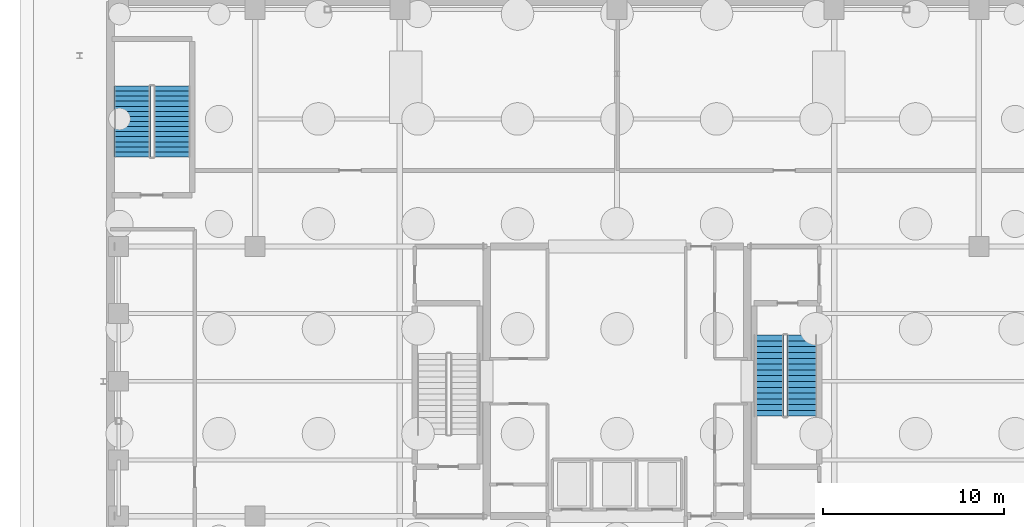
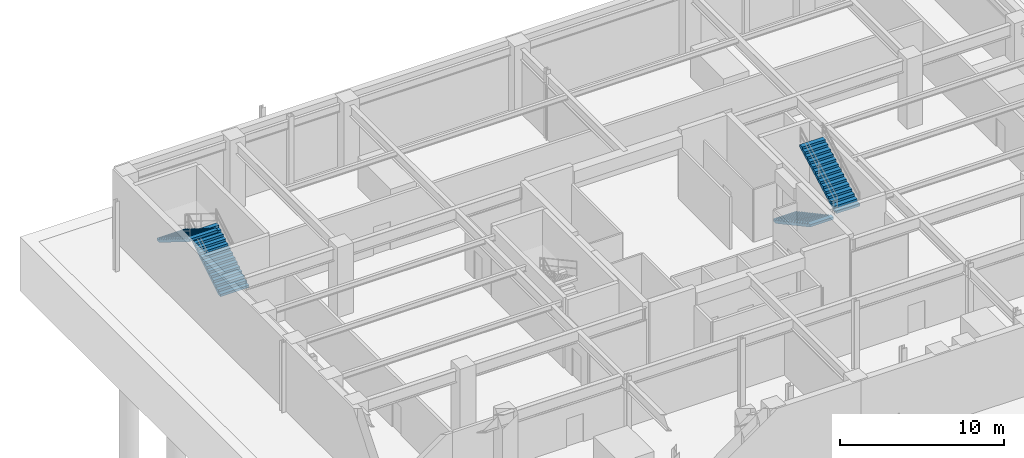
# One storey, part 14 of 18: 4 stair flights, 2 elements without a shape of their own.
"""IFC4 building model written with IfcOpenShell, lengths in metres."""

from ifc_helpers import new_model, si_unit, direction, frame, origin, place, context, subcontext, project, spatial, polyline, outline, extrude, material, type_object, element, aggregate, save


model = new_model("IFC4")

# Units and contexts
model_context = context("Model", 3, precision=1e-05, world=origin(), true_north=direction((0.0, 1.0)))
body_context = subcontext(model_context, "Body", "Model", "MODEL_VIEW")
ifc_project = project(units=[si_unit("LENGTHUNIT", "METRE"), si_unit("AREAUNIT", "SQUARE_METRE"), si_unit("VOLUMEUNIT", "CUBIC_METRE"), si_unit("PLANEANGLEUNIT", "RADIAN"), si_unit("MASSUNIT", "GRAM", prefix="KILO")], contexts=[model_context])

# Site, building, storey
site_placement = place(None, origin())
site = spatial("IfcSite", under=ifc_project, at=site_placement, CompositionType="ELEMENT")
building_placement = place(site_placement, origin())
building = spatial("IfcBuilding", under=site, at=building_placement, Name="Veldorina Hangang Commons", CompositionType="ELEMENT")
storey_placement = place(building_placement, frame((0.0, 0.0, -10.39990234375)))
storey = spatial("IfcBuildingStorey", under=building, at=storey_placement, Name="B02", CompositionType="ELEMENT", Elevation=-10.39990234375)

# Stair, stair flights
ifc_material = material(Name="Concrete C40/50", Category="concrete")
stair_type_1 = type_object("IfcStairType", Name="STR-DOG-1650-30R", PredefinedType="HALF_TURN_STAIR", material=ifc_material)
stair_1_placement = place(storey_placement, origin())
stair_1 = element("IfcStair", 1, at=stair_1_placement, inside=storey, type_object=stair_type_1, Name="B02 Exit stair ST-2", PredefinedType="HALF_TURN_STAIR")
stair_flight_type_1 = type_object("IfcStairFlightType", Name="SFL-STR-1650-30R", PredefinedType="STRAIGHT", material=ifc_material)
stair_flight_1_placement = place(storey_placement, frame((40.375, 26.550048828125, 0.0), z_axis=(0.0, 0.0, 1.0), x_axis=(0.0, -1.0, 0.0)))
stair_flight_1 = element("IfcStairFlight", 2, at=stair_flight_1_placement, type_object=stair_flight_type_1, Name="ST-2 flight 1", NumberOfRisers=15, NumberOfTreads=14, PredefinedType="STRAIGHT", RiserHeight=0.173333333, TreadLength=0.32, context=body_context, shape_type="SweptSolid", body=[
    extrude(outline(polyline([(0.0, 0.0), (0.0, 0.17333984375), (0.320068359375, 0.17333984375), (0.320068359375, 0.3466796875), (0.639892578125, 0.3466796875), (0.639892578125, 0.52001953125), (0.9599609375, 0.52001953125), (0.9599609375, 0.693359375), (1.280029296875, 0.693359375), (1.280029296875, 0.86669921875), (1.60009765625, 0.86669921875), (1.60009765625, 1.0400390625), (1.919921875, 1.0400390625), (1.919921875, 1.21337890625), (2.239990234375, 1.21337890625), (2.239990234375, 1.38671875), (2.56005859375, 1.38671875), (2.56005859375, 1.56005859375), (2.8798828125, 1.56005859375), (2.8798828125, 1.7333984375), (3.199951171875, 1.7333984375), (3.199951171875, 1.90673828125), (3.52001953125, 1.90673828125), (3.52001953125, 2.080078125), (3.840087890625, 2.080078125), (3.840087890625, 2.25341796875), (4.159912109375, 2.25341796875), (4.159912109375, 2.4267578125), (4.47998046875, 2.4267578125), (4.47998046875, 2.60009765625), (4.47998046875, 2.256103515625), (0.314697265625, 0.0), (0.0, 0.0)])), frame((0.0, 0.824951171875, 0.0), z_axis=(0.0, -1.0, 0.0), x_axis=(1.0, 0.0, 0.0)), (0.0, 0.0, 1.0), 1.64990234375),
])
stair_flight_2_placement = place(storey_placement, frame((42.22509765625, 22.070068359375, 2.599853515625), z_axis=(0.0, 0.0, 1.0), x_axis=(0.0, 1.0, 0.0)))
stair_flight_2 = element("IfcStairFlight", 3, at=stair_flight_2_placement, type_object=stair_flight_type_1, Name="ST-2 flight 2", NumberOfRisers=15, NumberOfTreads=14, PredefinedType="STRAIGHT", RiserHeight=0.173333333, TreadLength=0.32, context=body_context, shape_type="SweptSolid", body=[
    extrude(outline(polyline([(0.0, 0.0), (0.0, 0.17333984375), (0.320068359375, 0.17333984375), (0.320068359375, 0.3466796875), (0.639892578125, 0.3466796875), (0.639892578125, 0.52001953125), (0.9599609375, 0.52001953125), (0.9599609375, 0.693359375), (1.280029296875, 0.693359375), (1.280029296875, 0.86669921875), (1.60009765625, 0.86669921875), (1.60009765625, 1.0400390625), (1.919921875, 1.0400390625), (1.919921875, 1.21337890625), (2.239990234375, 1.21337890625), (2.239990234375, 1.38671875), (2.56005859375, 1.38671875), (2.56005859375, 1.56005859375), (2.8798828125, 1.56005859375), (2.8798828125, 1.7333984375), (3.199951171875, 1.7333984375), (3.199951171875, 1.90673828125), (3.52001953125, 1.90673828125), (3.52001953125, 2.080078125), (3.840087890625, 2.080078125), (3.840087890625, 2.25341796875), (4.159912109375, 2.25341796875), (4.159912109375, 2.4267578125), (4.47998046875, 2.4267578125), (4.47998046875, 2.60009765625), (4.47998046875, 2.256103515625), (0.314697265625, 0.0), (0.0, 0.0)])), frame((0.0, 0.824951171875, 0.0), z_axis=(0.0, -1.0, 0.0), x_axis=(1.0, 0.0, 0.0)), (0.0, 0.0, 1.0), 1.64990234375),
])
aggregate(stair_1, [stair_flight_1, stair_flight_2])

stair_type_2 = type_object("IfcStairType", Name="STR-DOG-2000-30R", PredefinedType="HALF_TURN_STAIR", material=ifc_material)
stair_2_placement = place(storey_placement, origin())
stair_2 = element("IfcStair", 4, at=stair_2_placement, inside=storey, type_object=stair_type_2, Name="B02 Exit stair ST-P1", PredefinedType="HALF_TURN_STAIR")
stair_flight_type_2 = type_object("IfcStairFlightType", Name="SFL-STR-2000-30R", PredefinedType="STRAIGHT", material=ifc_material)
stair_flight_3_placement = place(storey_placement, frame((7.39990234375, 36.39990234375, 0.0), z_axis=(0.0, 0.0, 1.0), x_axis=(0.0, 1.0, 0.0)))
stair_flight_3 = element("IfcStairFlight", 5, at=stair_flight_3_placement, type_object=stair_flight_type_2, Name="ST-P1 flight 1", NumberOfRisers=15, NumberOfTreads=14, PredefinedType="STRAIGHT", RiserHeight=0.173333333, TreadLength=0.28, context=body_context, shape_type="SweptSolid", body=[
    extrude(outline(polyline([(0.0, 0.0), (0.0, 0.17333984375), (0.280029296875, 0.17333984375), (0.280029296875, 0.3466796875), (0.56005859375, 0.3466796875), (0.56005859375, 0.52001953125), (0.840087890625, 0.52001953125), (0.840087890625, 0.693359375), (1.1201171875, 0.693359375), (1.1201171875, 0.86669921875), (1.39990234375, 0.86669921875), (1.39990234375, 1.0400390625), (1.679931640625, 1.0400390625), (1.679931640625, 1.21337890625), (1.9599609375, 1.21337890625), (1.9599609375, 1.38671875), (2.239990234375, 1.38671875), (2.239990234375, 1.56005859375), (2.52001953125, 1.56005859375), (2.52001953125, 1.7333984375), (2.800048828125, 1.7333984375), (2.800048828125, 1.90673828125), (3.080078125, 1.90673828125), (3.080078125, 2.080078125), (3.360107421875, 2.080078125), (3.360107421875, 2.25341796875), (3.639892578125, 2.25341796875), (3.639892578125, 2.4267578125), (3.919921875, 2.4267578125), (3.919921875, 2.60009765625), (3.919921875, 2.250244140625), (0.284912109375, 0.0), (0.0, 0.0)])), frame((0.0, 1.0, 0.0), z_axis=(0.0, -1.0, 0.0), x_axis=(1.0, 0.0, 0.0)), (0.0, 0.0, 1.0), 2.0),
])
stair_flight_4_placement = place(storey_placement, frame((5.199951171875, 40.320068359375, 2.599853515625), z_axis=(0.0, 0.0, 1.0), x_axis=(0.0, -1.0, 0.0)))
stair_flight_4 = element("IfcStairFlight", 6, at=stair_flight_4_placement, type_object=stair_flight_type_2, Name="ST-P1 flight 2", NumberOfRisers=15, NumberOfTreads=14, PredefinedType="STRAIGHT", RiserHeight=0.173333333, TreadLength=0.28, context=body_context, shape_type="SweptSolid", body=[
    extrude(outline(polyline([(0.0, 0.0), (0.0, 0.17333984375), (0.280029296875, 0.17333984375), (0.280029296875, 0.3466796875), (0.56005859375, 0.3466796875), (0.56005859375, 0.52001953125), (0.840087890625, 0.52001953125), (0.840087890625, 0.693359375), (1.1201171875, 0.693359375), (1.1201171875, 0.86669921875), (1.39990234375, 0.86669921875), (1.39990234375, 1.0400390625), (1.679931640625, 1.0400390625), (1.679931640625, 1.21337890625), (1.9599609375, 1.21337890625), (1.9599609375, 1.38671875), (2.239990234375, 1.38671875), (2.239990234375, 1.56005859375), (2.52001953125, 1.56005859375), (2.52001953125, 1.7333984375), (2.800048828125, 1.7333984375), (2.800048828125, 1.90673828125), (3.080078125, 1.90673828125), (3.080078125, 2.080078125), (3.360107421875, 2.080078125), (3.360107421875, 2.25341796875), (3.639892578125, 2.25341796875), (3.639892578125, 2.4267578125), (3.919921875, 2.4267578125), (3.919921875, 2.60009765625), (3.919921875, 2.250244140625), (0.284912109375, 0.0), (0.0, 0.0)])), frame((0.0, 1.0, 0.0), z_axis=(0.0, -1.0, 0.0), x_axis=(1.0, 0.0, 0.0)), (0.0, 0.0, 1.0), 2.0),
])
aggregate(stair_2, [stair_flight_3, stair_flight_4])

save(model, "model.ifc")
